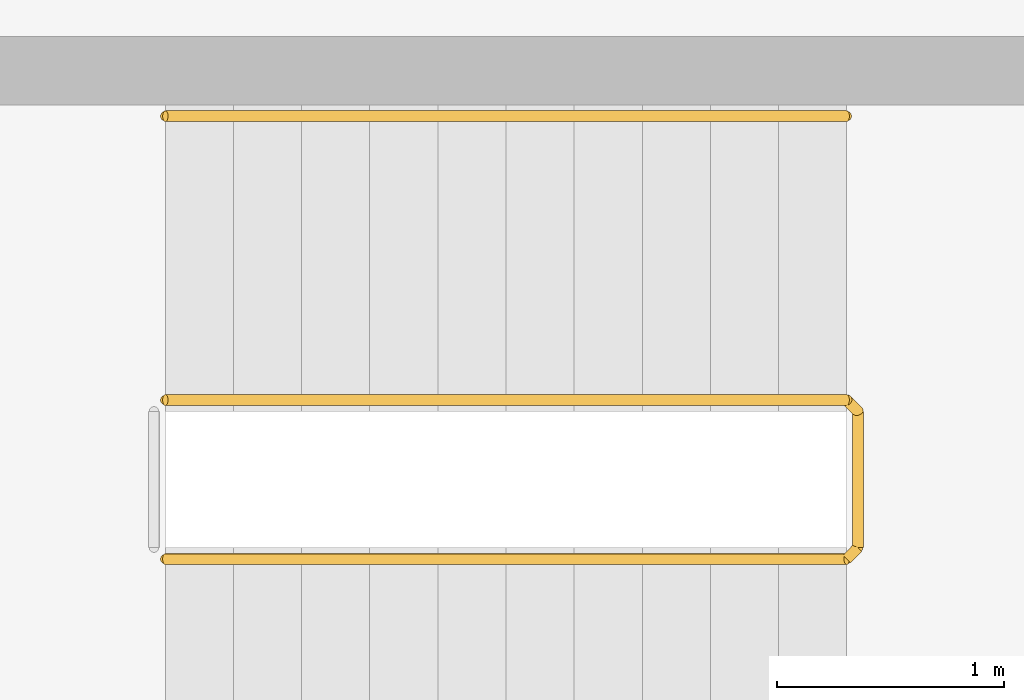
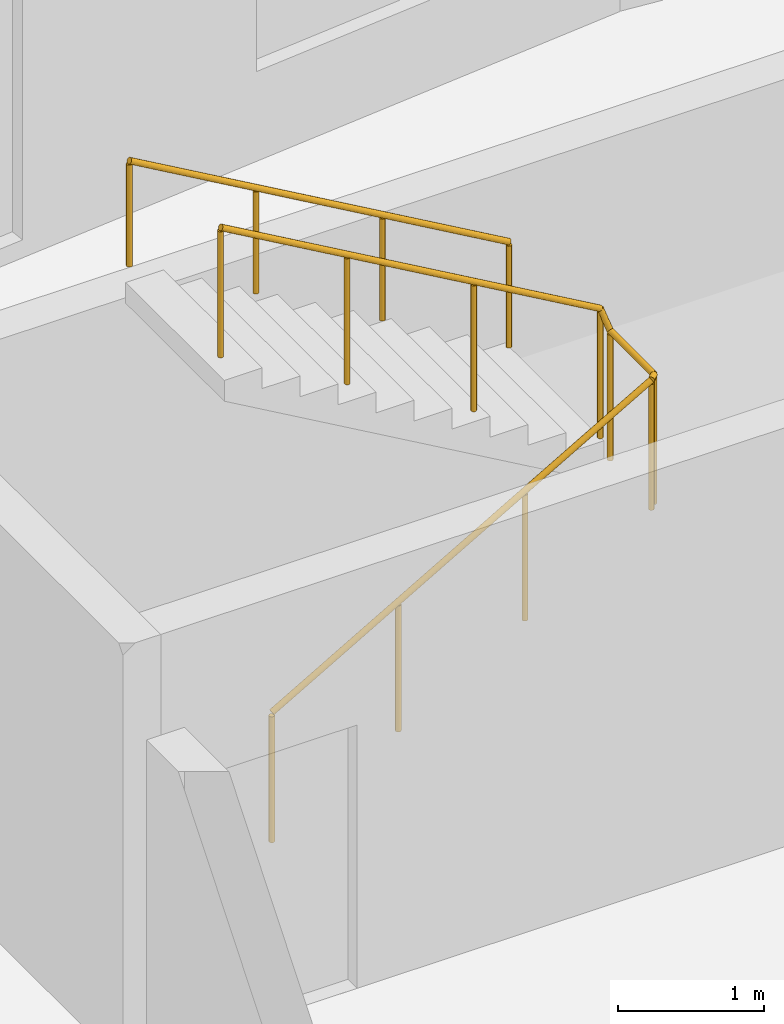
# One storey, part 10 of 10: 2 railings.
"""IFC4 building model written with IfcOpenShell, lengths in metres."""

from ifc_helpers import new_model, si_unit, direction, frame, origin, origin_2d, place, context, subcontext, project, spatial, circle, extrude, material, type_object, element, save


model = new_model("IFC4")

# Units and contexts
model_context = context("Model", 3, precision=1e-05, world=origin(), true_north=direction((0.0, 1.0)))
body_context = subcontext(model_context, "Body", "Model", "MODEL_VIEW")
ifc_project = project(units=[si_unit("LENGTHUNIT", "METRE"), si_unit("AREAUNIT", "SQUARE_METRE"), si_unit("VOLUMEUNIT", "CUBIC_METRE"), si_unit("PLANEANGLEUNIT", "RADIAN"), si_unit("MASSUNIT", "GRAM", prefix="KILO")], contexts=[model_context])

# Site, building, storey
site_placement = place(None, origin())
site = spatial("IfcSite", under=ifc_project, at=site_placement, CompositionType="ELEMENT")
building_placement = place(site_placement, origin())
building = spatial("IfcBuilding", under=site, at=building_placement, Name="Brondeck Convention Tower", CompositionType="ELEMENT")
storey_placement = place(building_placement, frame((0.0, 0.0, 177.60009765625)))
storey = spatial("IfcBuildingStorey", under=building, at=storey_placement, Name="L43", CompositionType="ELEMENT", Elevation=177.60009765625)

# Railings
ifc_material = material(Name="Steel S355", Category="steel")
railing_type_1 = type_object("IfcRailingType", Name="Stair guard 1100", PredefinedType="GUARDRAIL", material=ifc_material)
railing_1_placement = place(storey_placement, frame((37.85009765625, 55.449951171875, 0.172607421875)))
element("IfcRailing", 1, at=railing_1_placement, inside=storey, type_object=railing_type_1, Name="L43 ST-AE stair guard 1", PredefinedType="GUARDRAIL", context=body_context, shape_type="SweptSolid", body=[
    extrude(circle(Radius=0.02392578125, at=origin_2d()), frame((0.0, 0.0, 1.076171875), z_axis=(0.866619684472, 0.0, 0.498969260062), x_axis=(0.0, 1.0, 0.0)), (0.0, 0.0, 1.0), 3.461669921875),
    extrude(circle(Radius=0.02392578125, at=origin_2d()), frame((3.0, 0.0, 2.80322265625), z_axis=(0.705375805398, 0.708833529934, 0.0), x_axis=(-0.708833529934, 0.705375805398, 0.0)), (0.0, 0.0, 1.0), 0.070556640625),
    extrude(circle(Radius=0.02392578125, at=origin_2d()), frame((3.0498046875, 0.050048828125, 2.80322265625), z_axis=(0.0, 1.0, 0.0), x_axis=(-1.0, 0.0, 0.0)), (0.0, 0.0, 1.0), 0.60009765625),
    extrude(circle(Radius=0.02392578125, at=origin_2d()), frame((3.0498046875, 0.650146484375, 2.80322265625), z_axis=(-0.26715648603, 0.26715648603, 0.925880566782), x_axis=(-0.707106781187, -0.707106781187, 0.0)), (0.0, 0.0, 1.0), 0.1865234375),
    extrude(circle(Radius=0.02392578125, at=origin_2d()), frame((3.0, 0.699951171875, 2.97607421875), z_axis=(-0.866619684472, 0.0, 0.498969260062), x_axis=(0.0, -1.0, 0.0)), (0.0, 0.0, 1.0), 3.461669921875),
    extrude(circle(Radius=0.02099609375, at=origin_2d()), origin(), (0.0, 0.0, 1.0), 1.052001953125),
    extrude(circle(Radius=0.02099609375, at=origin_2d()), frame((1.0, 0.0, 0.57568359375)), (0.0, 0.0, 1.0), 1.052001953125),
    extrude(circle(Radius=0.02099609375, at=origin_2d()), frame((2.0, 0.0, 1.151611328125)), (0.0, 0.0, 1.0), 1.052001953125),
    extrude(circle(Radius=0.02099609375, at=origin_2d()), frame((3.0, 0.0, 1.727294921875)), (0.0, 0.0, 1.0), 1.052001953125),
    extrude(circle(Radius=0.02099609375, at=origin_2d()), frame((3.0498046875, 0.050048828125, 1.727294921875)), (0.0, 0.0, 1.0), 1.052001953125),
    extrude(circle(Radius=0.02099609375, at=origin_2d()), frame((3.0498046875, 0.650146484375, 1.727294921875)), (0.0, 0.0, 1.0), 1.052001953125),
    extrude(circle(Radius=0.02099609375, at=origin_2d()), frame((3.0, 0.699951171875, 1.89990234375)), (0.0, 0.0, 1.0), 1.052001953125),
    extrude(circle(Radius=0.02099609375, at=origin_2d()), frame((2.0, 0.699951171875, 2.4755859375)), (0.0, 0.0, 1.0), 1.052001953125),
    extrude(circle(Radius=0.02099609375, at=origin_2d()), frame((1.0, 0.699951171875, 3.051513671875)), (0.0, 0.0, 1.0), 1.052001953125),
    extrude(circle(Radius=0.02099609375, at=origin_2d()), frame((0.0, 0.699951171875, 3.627197265625)), (0.0, 0.0, 1.0), 1.052001953125),
])
railing_type_2 = type_object("IfcRailingType", Name="Stair handrail", PredefinedType="HANDRAIL", material=ifc_material)
railing_2_placement = place(storey_placement, frame((40.85009765625, 57.39990234375, 2.072509765625)))
element("IfcRailing", 2, at=railing_2_placement, inside=storey, type_object=railing_type_2, Name="L43 ST-AE stair handrail 2", PredefinedType="HANDRAIL", context=body_context, shape_type="SweptSolid", body=[
    extrude(circle(Radius=0.02392578125, at=origin_2d()), frame((0.0, 0.0, 0.8759765625), z_axis=(-0.866619684472, 0.0, 0.498969260062), x_axis=(0.0, -1.0, 0.0)), (0.0, 0.0, 1.0), 3.461669921875),
    extrude(circle(Radius=0.02099609375, at=origin_2d()), origin(), (0.0, 0.0, 1.0), 0.851806640625),
    extrude(circle(Radius=0.02099609375, at=origin_2d()), frame((-1.0, 0.0, 0.57568359375)), (0.0, 0.0, 1.0), 0.851806640625),
    extrude(circle(Radius=0.02099609375, at=origin_2d()), frame((-2.0, 0.0, 1.151611328125)), (0.0, 0.0, 1.0), 0.851806640625),
    extrude(circle(Radius=0.02099609375, at=origin_2d()), frame((-3.0, 0.0, 1.727294921875)), (0.0, 0.0, 1.0), 0.851806640625),
])

save(model, "model.ifc")
